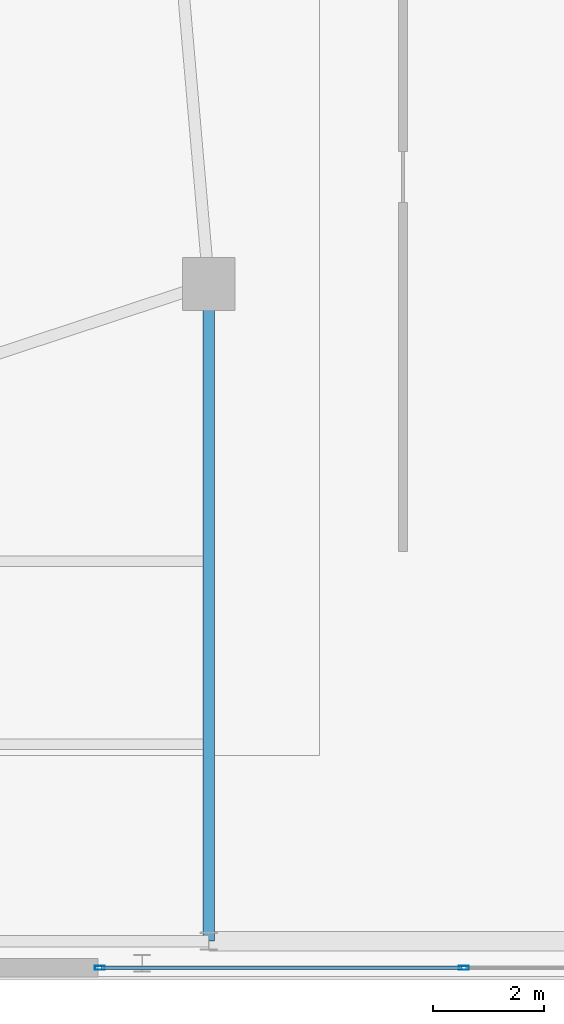
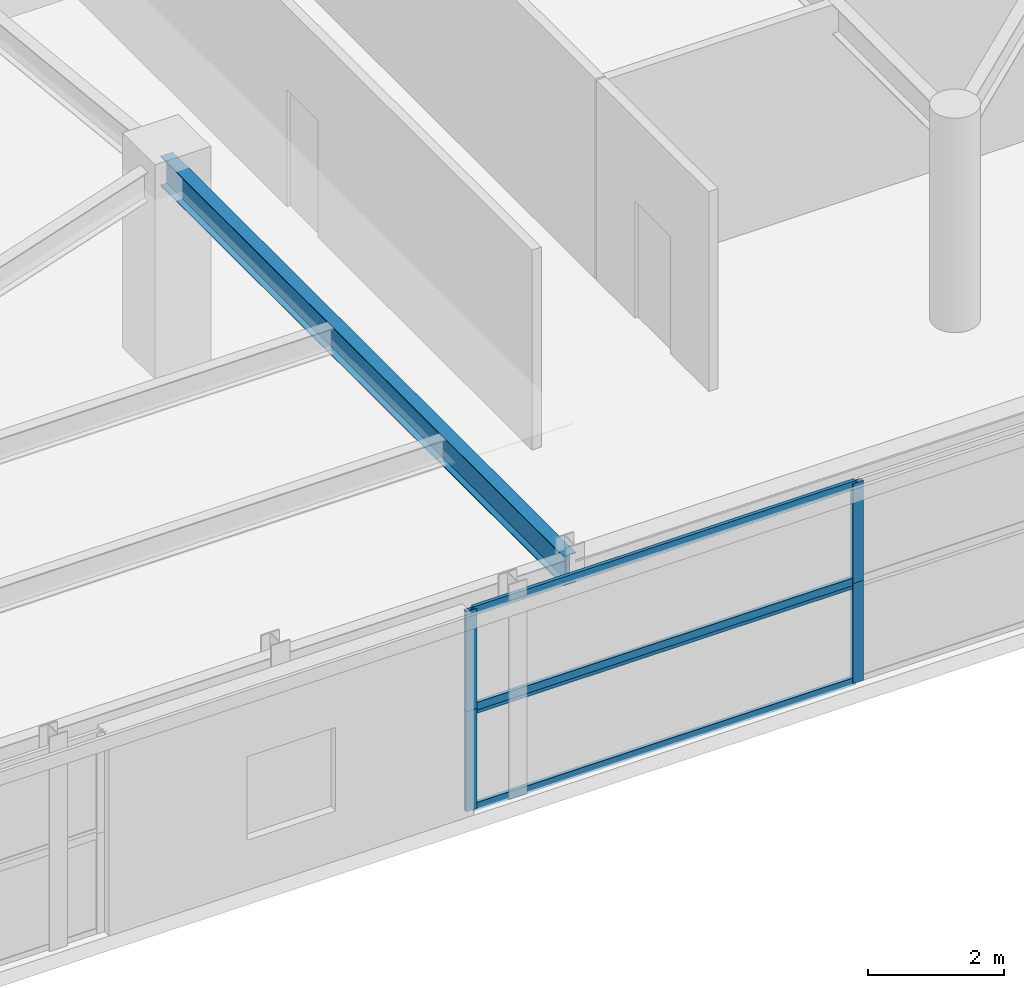
# One storey, part 16 of 26: 8 members, 1 beam, 2 elements without a shape of their own.
"""IFC4 building model written with IfcOpenShell, lengths in metres."""

from ifc_helpers import new_model, si_unit, direction, frame, origin, origin_2d, place, context, subcontext, project, spatial, hollow_rectangle, i_section, extrude, source, transform, mapped, material, layer, layer_set, material_profile, profile_set, type_object, element, aggregate, save


model = new_model("IFC4")

# Units and contexts
model_context = context("Model", 3, precision=1e-05, world=origin(), true_north=direction((0.0, 1.0)))
body_context = subcontext(model_context, "Body", "Model", "MODEL_VIEW")
ifc_project = project(units=[si_unit("LENGTHUNIT", "METRE"), si_unit("AREAUNIT", "SQUARE_METRE"), si_unit("VOLUMEUNIT", "CUBIC_METRE"), si_unit("PLANEANGLEUNIT", "RADIAN"), si_unit("MASSUNIT", "GRAM", prefix="KILO")], contexts=[model_context])

# Site, building, storey
site_placement = place(None, origin())
site = spatial("IfcSite", under=ifc_project, at=site_placement, CompositionType="ELEMENT")
building_placement = place(site_placement, origin())
building = spatial("IfcBuilding", under=site, at=building_placement, Name="Taldren Reach Tower", CompositionType="ELEMENT")
storey_placement = place(building_placement, frame((0.0, 0.0, 4.550048828125)))
storey = spatial("IfcBuildingStorey", under=building, at=storey_placement, Name="L01", CompositionType="ELEMENT", Elevation=4.550048828125)

# Beam
ifc_material_1 = material(Name="Steel Gr 350 (350PLUS)", Category="steel")
ifc_material_profile_1 = material_profile(ifc_material_1, i_section(OverallWidth=0.208984375, OverallDepth=0.532958984375, WebThickness=0.01025390625, FlangeThickness=0.015625, at=origin_2d()), Name="530UB92.4")
ifc_profile_set_1 = profile_set([ifc_material_profile_1], Name="Steel Gr 350 (350PLUS)")
beam_type = type_object("IfcBeamType", Name="BM-UB530A", PredefinedType="BEAM", material=ifc_profile_set_1)
shared_shape_1 = source(origin(), body_context, "Body", "SweptSolid", [
    extrude(i_section(OverallWidth=0.208984375, OverallDepth=0.532958984375, WebThickness=0.01025390625, FlangeThickness=0.015625, at=origin_2d()), origin(), (0.0, 0.0, 1.0), 11.85009765625),
])
beam_placement = place(storey_placement, frame((52.0, 0.64990234375, 3.323486328125), z_axis=(0.0, 1.0, 0.0), x_axis=(-1.0, 0.0, 0.0)))
element("IfcBeam", 1, at=beam_placement, inside=storey, type_object=beam_type, Name="Podium beam L01-PD25", PredefinedType="BEAM", context=body_context, shape_type="MappedRepresentation", body=[
    mapped(shared_shape_1, transform((0.0, 0.0, 0.0), scale=1.0)),
])

# Curtain wall, members
ifc_material_2 = material(Name="Aluminium and Low-E Glass Unitised System", Category="aluminium")
ifc_layer = layer(ifc_material_2, 0.159912109375)
ifc_layer_set = layer_set([ifc_layer], Name="Aluminium and Low-E Glass Unitised System")
curtain_wall_type = type_object("IfcCurtainWallType", Name="CW-SYS-1", PredefinedType="NOTDEFINED", material=ifc_layer_set)
curtain_wall_1_placement = place(storey_placement, origin())
curtain_wall_1 = element("IfcCurtainWall", 2, at=curtain_wall_1_placement, inside=storey, type_object=curtain_wall_type, Name="Unitised curtain wall CW1-L01-S3", PredefinedType="NOTDEFINED")
ifc_material_3 = material(Name="Anodised Aluminium 6063-T6", Category="aluminium")
ifc_material_profile_2 = material_profile(ifc_material_3, hollow_rectangle(XDim=0.070068359375, YDim=0.179931640625, WallThickness=0.00390625, at=origin_2d()), Name="ALU-180x70x4RHS")
ifc_profile_set_2 = profile_set([ifc_material_profile_2], Name="Anodised Aluminium 6063-T6")
member_type_1 = type_object("IfcMemberType", Name="CW-MUL-180", PredefinedType="MULLION", material=ifc_profile_set_2)
shared_shape_2 = source(origin(), body_context, "Body", "SweptSolid", [
    extrude(hollow_rectangle(XDim=0.070068359375, YDim=0.179931640625, WallThickness=0.00390625, at=origin_2d()), origin(), (0.0, 0.0, 1.0), 1.794921875),
])
member_1_placement = place(storey_placement, frame((50.034912109375, 0.169921875, 0.0), z_axis=(0.0, 0.0, 1.0), x_axis=(0.0, 1.0, 0.0)))
member_1 = element("IfcMember", 3, at=member_1_placement, type_object=member_type_1, Name="CW-1 mullion 1", PredefinedType="MULLION", context=body_context, shape_type="MappedRepresentation", body=[
    mapped(shared_shape_2, transform((0.0, 0.0, 0.0), scale=1.0)),
])
member_2_placement = place(storey_placement, frame((56.60009765625, 0.169921875, 0.0), z_axis=(0.0, 0.0, 1.0), x_axis=(0.0, 1.0, 0.0)))
member_2 = element("IfcMember", 4, at=member_2_placement, type_object=member_type_1, Name="CW-1 mullion 2", PredefinedType="MULLION", context=body_context, shape_type="MappedRepresentation", body=[
    mapped(shared_shape_2, transform((0.0, 0.0, 0.0), scale=1.0)),
])

curtain_wall_2_placement = place(storey_placement, origin())
curtain_wall_2 = element("IfcCurtainWall", 5, at=curtain_wall_2_placement, inside=storey, type_object=curtain_wall_type, Name="Unitised curtain wall CW1-L01-S3-T2", PredefinedType="NOTDEFINED")
member_3_placement = place(storey_placement, frame((50.034912109375, 0.169921875, 1.794921875), z_axis=(0.0, 0.0, 1.0), x_axis=(0.0, 1.0, 0.0)))
member_3 = element("IfcMember", 6, at=member_3_placement, type_object=member_type_1, Name="CW-1 mullion 1", PredefinedType="MULLION", context=body_context, shape_type="MappedRepresentation", body=[
    mapped(shared_shape_2, transform((0.0, 0.0, 0.0), scale=1.0)),
])
member_4_placement = place(storey_placement, frame((56.60009765625, 0.169921875, 1.794921875), z_axis=(0.0, 0.0, 1.0), x_axis=(0.0, 1.0, 0.0)))
member_4 = element("IfcMember", 7, at=member_4_placement, type_object=member_type_1, Name="CW-1 mullion 2", PredefinedType="MULLION", context=body_context, shape_type="MappedRepresentation", body=[
    mapped(shared_shape_2, transform((0.0, 0.0, 0.0), scale=1.0)),
])

# Member
ifc_material_profile_3 = material_profile(ifc_material_3, hollow_rectangle(XDim=0.06005859375, YDim=0.135009765625, WallThickness=0.00341796875, at=origin_2d()), Name="ALU-135x60x3.5RHS")
ifc_profile_set_3 = profile_set([ifc_material_profile_3], Name="Anodised Aluminium 6063-T6")
member_type_2 = type_object("IfcMemberType", Name="CW-TRN-150", PredefinedType="USERDEFINED", material=ifc_profile_set_3)
shared_shape_3 = source(origin(), body_context, "Body", "SweptSolid", [
    extrude(hollow_rectangle(XDim=0.06005859375, YDim=0.135009765625, WallThickness=0.00341796875, at=origin_2d()), origin(), (0.0, 0.0, 1.0), 6.494873046875),
])
member_5_placement = place(storey_placement, frame((50.070068359375, 0.169921875, 0.030029296875), z_axis=(1.0, 0.0, 0.0), x_axis=(0.0, 1.0, 0.0)))
member_5 = element("IfcMember", 8, at=member_5_placement, type_object=member_type_2, Name="CW-1 transom 1.1", ObjectType="TRANSOM", PredefinedType="USERDEFINED", context=body_context, shape_type="MappedRepresentation", body=[
    mapped(shared_shape_3, transform((0.0, 0.0, 0.0), scale=1.0)),
])

member_6_placement = place(storey_placement, frame((50.070068359375, 0.169921875, 1.764892578125), z_axis=(1.0, 0.0, 0.0), x_axis=(0.0, 1.0, 0.0)))
member_6 = element("IfcMember", 9, at=member_6_placement, type_object=member_type_2, Name="CW-1 transom 1.2", ObjectType="TRANSOM", PredefinedType="USERDEFINED", context=body_context, shape_type="MappedRepresentation", body=[
    mapped(shared_shape_3, transform((0.0, 0.0, 0.0), scale=1.0)),
])

aggregate(curtain_wall_1, [member_1, member_2, member_5, member_6])

member_7_placement = place(storey_placement, frame((50.070068359375, 0.169921875, 1.824951171875), z_axis=(1.0, 0.0, 0.0), x_axis=(0.0, 1.0, 0.0)))
member_7 = element("IfcMember", 10, at=member_7_placement, type_object=member_type_2, Name="CW-1 transom 1.1", ObjectType="TRANSOM", PredefinedType="USERDEFINED", context=body_context, shape_type="MappedRepresentation", body=[
    mapped(shared_shape_3, transform((0.0, 0.0, 0.0), scale=1.0)),
])

member_8_placement = place(storey_placement, frame((50.070068359375, 0.169921875, 3.56005859375), z_axis=(1.0, 0.0, 0.0), x_axis=(0.0, 1.0, 0.0)))
member_8 = element("IfcMember", 11, at=member_8_placement, type_object=member_type_2, Name="CW-1 transom 1.2", ObjectType="TRANSOM", PredefinedType="USERDEFINED", context=body_context, shape_type="MappedRepresentation", body=[
    mapped(shared_shape_3, transform((0.0, 0.0, 0.0), scale=1.0)),
])

aggregate(curtain_wall_2, [member_3, member_4, member_7, member_8])

save(model, "model.ifc")
